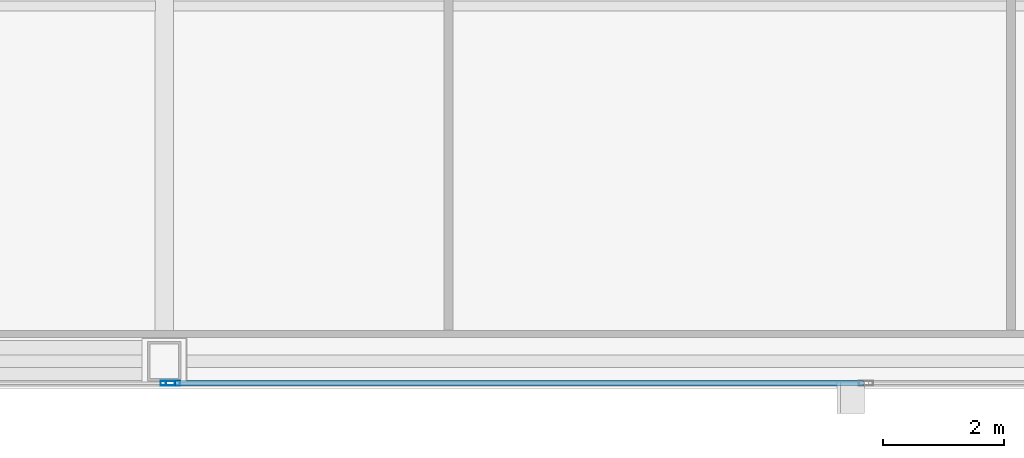
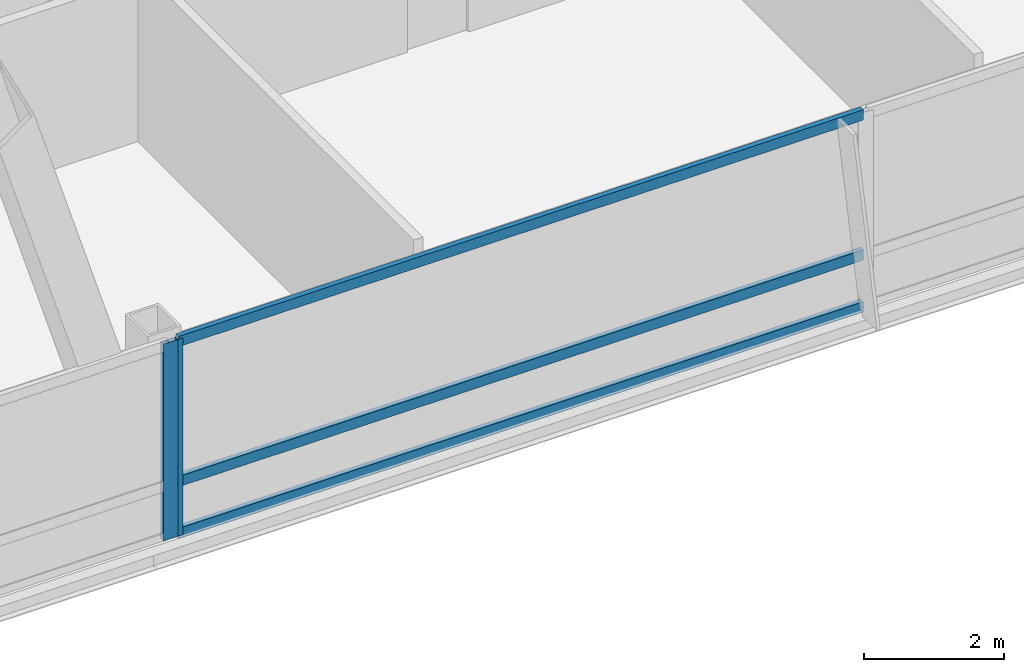
# One storey, part 7 of 31: 5 members, 2 elements without a shape of their own.
"""IFC4 building model written with IfcOpenShell, lengths in metres."""

from ifc_helpers import new_model, si_unit, direction, frame, origin, origin_2d, place, context, subcontext, project, spatial, hollow_rectangle, extrude, material, material_profile, profile_set, type_object, element, aggregate, save


model = new_model("IFC4")

# Units and contexts
model_context = context("Model", 3, precision=1e-05, world=origin(), true_north=direction((0.0, 1.0)))
body_context = subcontext(model_context, "Body", "Model", "MODEL_VIEW")
ifc_project = project(units=[si_unit("LENGTHUNIT", "METRE"), si_unit("AREAUNIT", "SQUARE_METRE"), si_unit("VOLUMEUNIT", "CUBIC_METRE"), si_unit("PLANEANGLEUNIT", "RADIAN"), si_unit("MASSUNIT", "GRAM", prefix="KILO")], contexts=[model_context])

# Site, building, storey
site_placement = place(None, origin())
site = spatial("IfcSite", under=ifc_project, at=site_placement, CompositionType="ELEMENT")
building_placement = place(site_placement, origin())
building = spatial("IfcBuilding", under=site, at=building_placement, Name="Khoronbel Lancet Exchange", CompositionType="ELEMENT")
storey_placement = place(building_placement, frame((0.0, 0.0, 325.39990234375)))
storey = spatial("IfcBuildingStorey", under=building, at=storey_placement, Name="L84", CompositionType="ELEMENT", Elevation=325.39990234375)

# Curtain wall, member
ifc_material_1 = material(Name="Low-E Solar Control Insulating Glass", Category="glass")
curtain_wall_type = type_object("IfcCurtainWallType", Name="CW-3", PredefinedType="NOTDEFINED", material=ifc_material_1)
curtain_wall_1_placement = place(storey_placement, origin())
curtain_wall_1 = element("IfcCurtainWall", 1, at=curtain_wall_1_placement, inside=storey, type_object=curtain_wall_type, Name="Unitised curtain wall CW-L84-SWB", PredefinedType="NOTDEFINED")
ifc_material_2 = material(Name="Bronze-Anodised Aluminium 6063-T6", Category="aluminium")
ifc_material_profile_1 = material_profile(ifc_material_2, hollow_rectangle(XDim=0.0849609375, YDim=0.239990234375, WallThickness=0.006103515625, at=origin_2d()), Name="ALU MULLION 85x240")
ifc_profile_set_1 = profile_set([ifc_material_profile_1], Name="Bronze-Anodised Aluminium 6063-T6")
member_type_1 = type_object("IfcMemberType", Name="MEM-CWM1", PredefinedType="MULLION", material=ifc_profile_set_1)
member_1_placement = place(storey_placement, frame((24.95751953125, 9.7900390625, 0.0), z_axis=(0.0, 0.0, 1.0), x_axis=(0.0, 1.0, 0.0)))
member_1 = element("IfcMember", 2, at=member_1_placement, type_object=member_type_1, Name="CW3 mullion 2", PredefinedType="MULLION", context=body_context, shape_type="SweptSolid", body=[
    extrude(hollow_rectangle(XDim=0.0849609375, YDim=0.239990234375, WallThickness=0.006103515625, at=origin_2d()), origin(), (0.0, 0.0, 1.0), 3.440185546875),
])
aggregate(curtain_wall_1, [member_1])

# Curtain wall, members
curtain_wall_2_placement = place(storey_placement, origin())
curtain_wall_2 = element("IfcCurtainWall", 3, at=curtain_wall_2_placement, inside=storey, type_object=curtain_wall_type, Name="Unitised curtain wall CW-L84-SCV", PredefinedType="NOTDEFINED")
member_2_placement = place(storey_placement, frame((25.04248046875, 9.7900390625, 0.0), z_axis=(0.0, 0.0, 1.0), x_axis=(0.0, 1.0, 0.0)))
member_2 = element("IfcMember", 4, at=member_2_placement, type_object=member_type_1, Name="CW3 mullion 1", PredefinedType="MULLION", context=body_context, shape_type="SweptSolid", body=[
    extrude(hollow_rectangle(XDim=0.0849609375, YDim=0.239990234375, WallThickness=0.006103515625, at=origin_2d()), origin(), (0.0, 0.0, 1.0), 3.440185546875),
])
ifc_material_profile_2 = material_profile(ifc_material_2, hollow_rectangle(XDim=0.0849609375, YDim=0.179931640625, WallThickness=0.0048828125, at=origin_2d()), Name="ALU TRANSOM 85x180")
ifc_profile_set_2 = profile_set([ifc_material_profile_2], Name="Bronze-Anodised Aluminium 6063-T6")
member_type_2 = type_object("IfcMemberType", Name="MEM-CWT1", PredefinedType="USERDEFINED", material=ifc_profile_set_2)
member_3_placement = place(storey_placement, frame((25.0849609375, 9.7900390625, 0.04248046875), z_axis=(1.0, 0.0, 0.0), x_axis=(0.0, 1.0, 0.0)))
member_3 = element("IfcMember", 5, at=member_3_placement, type_object=member_type_2, Name="CW3 transom 1.1", ObjectType="TRANSOM", PredefinedType="USERDEFINED", context=body_context, shape_type="SweptSolid", body=[
    extrude(hollow_rectangle(XDim=0.0849609375, YDim=0.179931640625, WallThickness=0.0048828125, at=origin_2d()), origin(), (0.0, 0.0, 1.0), 11.322509765625),
])
member_4_placement = place(storey_placement, frame((25.0849609375, 9.7900390625, 0.9501953125), z_axis=(1.0, 0.0, 0.0), x_axis=(0.0, 1.0, 0.0)))
member_4 = element("IfcMember", 6, at=member_4_placement, type_object=member_type_2, Name="CW3 transom 1.2", ObjectType="TRANSOM", PredefinedType="USERDEFINED", context=body_context, shape_type="SweptSolid", body=[
    extrude(hollow_rectangle(XDim=0.0849609375, YDim=0.179931640625, WallThickness=0.0048828125, at=origin_2d()), origin(), (0.0, 0.0, 1.0), 11.322509765625),
])
member_5_placement = place(storey_placement, frame((25.0849609375, 9.7900390625, 3.397705078125), z_axis=(1.0, 0.0, 0.0), x_axis=(0.0, 1.0, 0.0)))
member_5 = element("IfcMember", 7, at=member_5_placement, type_object=member_type_2, Name="CW3 transom 1.3", ObjectType="TRANSOM", PredefinedType="USERDEFINED", context=body_context, shape_type="SweptSolid", body=[
    extrude(hollow_rectangle(XDim=0.0849609375, YDim=0.179931640625, WallThickness=0.0048828125, at=origin_2d()), origin(), (0.0, 0.0, 1.0), 11.322509765625),
])
aggregate(curtain_wall_2, [member_2, member_3, member_4, member_5])

save(model, "model.ifc")
